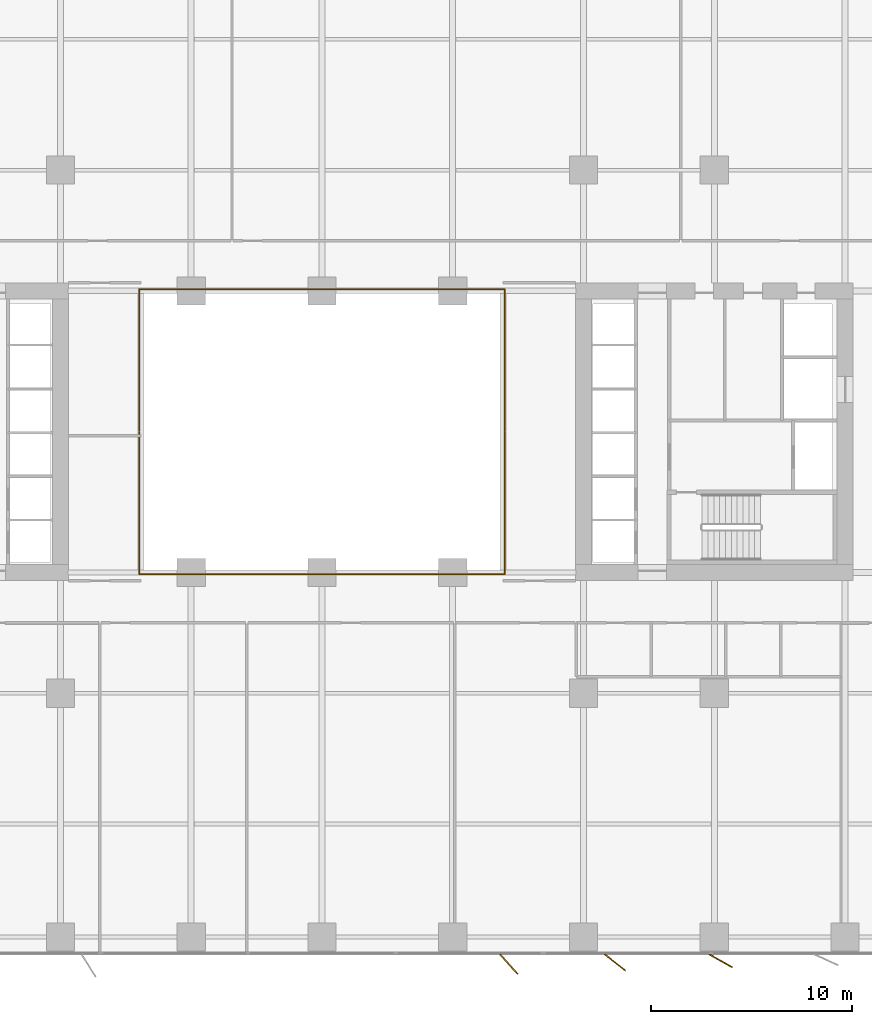
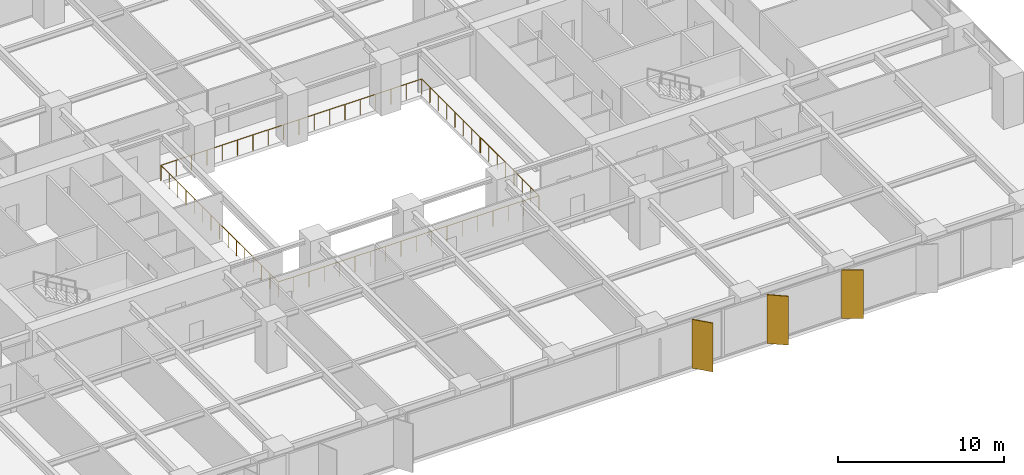
# One storey, part 18 of 20: 3 shading devices, 2 railings.
"""IFC4 building model written with IfcOpenShell, lengths in metres."""

from ifc_helpers import new_model, si_unit, direction, frame, origin, origin_2d, place, context, subcontext, project, spatial, rectangle, circle, extrude, material, layer, layer_set, type_object, element, save


model = new_model("IFC4")

# Units and contexts
model_context = context("Model", 3, precision=1e-05, world=origin(), true_north=direction((0.0, 1.0)))
body_context = subcontext(model_context, "Body", "Model", "MODEL_VIEW")
ifc_project = project(units=[si_unit("LENGTHUNIT", "METRE"), si_unit("AREAUNIT", "SQUARE_METRE"), si_unit("VOLUMEUNIT", "CUBIC_METRE"), si_unit("PLANEANGLEUNIT", "RADIAN"), si_unit("MASSUNIT", "GRAM", prefix="KILO")], contexts=[model_context])

# Site, building, storey
site_placement = place(None, origin())
site = spatial("IfcSite", under=ifc_project, at=site_placement, CompositionType="ELEMENT")
building_placement = place(site_placement, origin())
building = spatial("IfcBuilding", under=site, at=building_placement, Name="Putna Gate Headquarters", CompositionType="ELEMENT")
storey_placement = place(building_placement, frame((0.0, 0.0, 69.60009765625)))
storey = spatial("IfcBuildingStorey", under=building, at=storey_placement, Name="L16", CompositionType="ELEMENT", Elevation=69.60009765625)

# Railings
ifc_material_1 = material(Name="Anodised bronze and laminated glass atrium balustrade", Category="glass")
railing_type = type_object("IfcRailingType", Name="RAIL-ATRIUM-GUARD-1150", PredefinedType="GUARDRAIL", material=ifc_material_1)
railing_1_placement = place(storey_placement, frame((29.919921875, 25.969970703125, 0.0)))
element("IfcRailing", 1, at=railing_1_placement, inside=storey, type_object=railing_type, Name="L16 Central Atrium Glazed Balustrade South", PredefinedType="GUARDRAIL", context=body_context, shape_type="SweptSolid", body=[
    extrude(circle(Radius=0.02392578125, at=origin_2d()), frame((0.0, 0.0, 1.1259765625), z_axis=(0.0, -1.0, 0.0), x_axis=(1.0, 0.0, 0.0)), (0.0, 0.0, 1.0), 7.050048828125),
    extrude(circle(Radius=0.02392578125, at=origin_2d()), frame((0.0, -7.050048828125, 1.1259765625), z_axis=(1.0, 0.0, 0.0), x_axis=(0.0, 1.0, 0.0)), (0.0, 0.0, 1.0), 18.16015625),
    extrude(circle(Radius=0.02392578125, at=origin_2d()), frame((18.16015625, -7.050048828125, 1.1259765625), z_axis=(0.0, 1.0, 0.0), x_axis=(-1.0, 0.0, 0.0)), (0.0, 0.0, 1.0), 7.050048828125),
    extrude(circle(Radius=0.02099609375, at=origin_2d()), origin(), (0.0, 0.0, 1.0), 1.101806640625),
    extrude(circle(Radius=0.02099609375, at=origin_2d()), frame((0.0, -1.007080078125, 0.0)), (0.0, 0.0, 1.0), 1.101806640625),
    extrude(circle(Radius=0.02099609375, at=origin_2d()), frame((0.0, -2.014404296875, 0.0)), (0.0, 0.0, 1.0), 1.101806640625),
    extrude(circle(Radius=0.02099609375, at=origin_2d()), frame((0.0, -3.021484375, 0.0)), (0.0, 0.0, 1.0), 1.101806640625),
    extrude(circle(Radius=0.02099609375, at=origin_2d()), frame((0.0, -4.028564453125, 0.0)), (0.0, 0.0, 1.0), 1.101806640625),
    extrude(circle(Radius=0.02099609375, at=origin_2d()), frame((0.0, -5.03564453125, 0.0)), (0.0, 0.0, 1.0), 1.101806640625),
    extrude(circle(Radius=0.02099609375, at=origin_2d()), frame((0.0, -6.04296875, 0.0)), (0.0, 0.0, 1.0), 1.101806640625),
    extrude(circle(Radius=0.02099609375, at=origin_2d()), frame((0.0, -7.050048828125, 0.0)), (0.0, 0.0, 1.0), 1.101806640625),
    extrude(circle(Radius=0.02099609375, at=origin_2d()), frame((1.068359375, -7.050048828125, 0.0)), (0.0, 0.0, 1.0), 1.101806640625),
    extrude(circle(Radius=0.02099609375, at=origin_2d()), frame((2.136474609375, -7.050048828125, 0.0)), (0.0, 0.0, 1.0), 1.101806640625),
    extrude(circle(Radius=0.02099609375, at=origin_2d()), frame((3.204833984375, -7.050048828125, 0.0)), (0.0, 0.0, 1.0), 1.101806640625),
    extrude(circle(Radius=0.02099609375, at=origin_2d()), frame((4.27294921875, -7.050048828125, 0.0)), (0.0, 0.0, 1.0), 1.101806640625),
    extrude(circle(Radius=0.02099609375, at=origin_2d()), frame((5.34130859375, -7.050048828125, 0.0)), (0.0, 0.0, 1.0), 1.101806640625),
    extrude(circle(Radius=0.02099609375, at=origin_2d()), frame((6.409423828125, -7.050048828125, 0.0)), (0.0, 0.0, 1.0), 1.101806640625),
    extrude(circle(Radius=0.02099609375, at=origin_2d()), frame((7.477783203125, -7.050048828125, 0.0)), (0.0, 0.0, 1.0), 1.101806640625),
    extrude(circle(Radius=0.02099609375, at=origin_2d()), frame((8.5458984375, -7.050048828125, 0.0)), (0.0, 0.0, 1.0), 1.101806640625),
    extrude(circle(Radius=0.02099609375, at=origin_2d()), frame((9.6142578125, -7.050048828125, 0.0)), (0.0, 0.0, 1.0), 1.101806640625),
    extrude(circle(Radius=0.02099609375, at=origin_2d()), frame((10.682373046875, -7.050048828125, 0.0)), (0.0, 0.0, 1.0), 1.101806640625),
    extrude(circle(Radius=0.02099609375, at=origin_2d()), frame((11.750732421875, -7.050048828125, 0.0)), (0.0, 0.0, 1.0), 1.101806640625),
    extrude(circle(Radius=0.02099609375, at=origin_2d()), frame((12.81884765625, -7.050048828125, 0.0)), (0.0, 0.0, 1.0), 1.101806640625),
    extrude(circle(Radius=0.02099609375, at=origin_2d()), frame((13.88720703125, -7.050048828125, 0.0)), (0.0, 0.0, 1.0), 1.101806640625),
    extrude(circle(Radius=0.02099609375, at=origin_2d()), frame((14.955322265625, -7.050048828125, 0.0)), (0.0, 0.0, 1.0), 1.101806640625),
    extrude(circle(Radius=0.02099609375, at=origin_2d()), frame((16.023681640625, -7.050048828125, 0.0)), (0.0, 0.0, 1.0), 1.101806640625),
    extrude(circle(Radius=0.02099609375, at=origin_2d()), frame((17.091796875, -7.050048828125, 0.0)), (0.0, 0.0, 1.0), 1.101806640625),
    extrude(circle(Radius=0.02099609375, at=origin_2d()), frame((18.16015625, -7.050048828125, 0.0)), (0.0, 0.0, 1.0), 1.101806640625),
    extrude(circle(Radius=0.02099609375, at=origin_2d()), frame((18.16015625, -6.04296875, 0.0)), (0.0, 0.0, 1.0), 1.101806640625),
    extrude(circle(Radius=0.02099609375, at=origin_2d()), frame((18.16015625, -5.03564453125, 0.0)), (0.0, 0.0, 1.0), 1.101806640625),
    extrude(circle(Radius=0.02099609375, at=origin_2d()), frame((18.16015625, -4.028564453125, 0.0)), (0.0, 0.0, 1.0), 1.101806640625),
    extrude(circle(Radius=0.02099609375, at=origin_2d()), frame((18.16015625, -3.021484375, 0.0)), (0.0, 0.0, 1.0), 1.101806640625),
    extrude(circle(Radius=0.02099609375, at=origin_2d()), frame((18.16015625, -2.014404296875, 0.0)), (0.0, 0.0, 1.0), 1.101806640625),
    extrude(circle(Radius=0.02099609375, at=origin_2d()), frame((18.16015625, -1.007080078125, 0.0)), (0.0, 0.0, 1.0), 1.101806640625),
    extrude(circle(Radius=0.02099609375, at=origin_2d()), frame((18.16015625, 0.0, 0.0)), (0.0, 0.0, 1.0), 1.101806640625),
])
railing_2_placement = place(storey_placement, frame((48.080078125, 26.030029296875, 0.0)))
element("IfcRailing", 2, at=railing_2_placement, inside=storey, type_object=railing_type, Name="L16 Central Atrium Glazed Balustrade North", PredefinedType="GUARDRAIL", context=body_context, shape_type="SweptSolid", body=[
    extrude(circle(Radius=0.02392578125, at=origin_2d()), frame((0.0, 0.0, 1.1259765625), z_axis=(0.0, 1.0, 0.0), x_axis=(-1.0, 0.0, 0.0)), (0.0, 0.0, 1.0), 7.050048828125),
    extrude(circle(Radius=0.02392578125, at=origin_2d()), frame((0.0, 7.050048828125, 1.1259765625), z_axis=(-1.0, 0.0, 0.0), x_axis=(0.0, -1.0, 0.0)), (0.0, 0.0, 1.0), 18.16015625),
    extrude(circle(Radius=0.02392578125, at=origin_2d()), frame((-18.16015625, 7.050048828125, 1.1259765625), z_axis=(0.0, -1.0, 0.0), x_axis=(1.0, 0.0, 0.0)), (0.0, 0.0, 1.0), 7.050048828125),
    extrude(circle(Radius=0.02099609375, at=origin_2d()), origin(), (0.0, 0.0, 1.0), 1.101806640625),
    extrude(circle(Radius=0.02099609375, at=origin_2d()), frame((0.0, 1.007080078125, 0.0)), (0.0, 0.0, 1.0), 1.101806640625),
    extrude(circle(Radius=0.02099609375, at=origin_2d()), frame((0.0, 2.014404296875, 0.0)), (0.0, 0.0, 1.0), 1.101806640625),
    extrude(circle(Radius=0.02099609375, at=origin_2d()), frame((0.0, 3.021484375, 0.0)), (0.0, 0.0, 1.0), 1.101806640625),
    extrude(circle(Radius=0.02099609375, at=origin_2d()), frame((0.0, 4.028564453125, 0.0)), (0.0, 0.0, 1.0), 1.101806640625),
    extrude(circle(Radius=0.02099609375, at=origin_2d()), frame((0.0, 5.03564453125, 0.0)), (0.0, 0.0, 1.0), 1.101806640625),
    extrude(circle(Radius=0.02099609375, at=origin_2d()), frame((0.0, 6.04296875, 0.0)), (0.0, 0.0, 1.0), 1.101806640625),
    extrude(circle(Radius=0.02099609375, at=origin_2d()), frame((0.0, 7.050048828125, 0.0)), (0.0, 0.0, 1.0), 1.101806640625),
    extrude(circle(Radius=0.02099609375, at=origin_2d()), frame((-1.068359375, 7.050048828125, 0.0)), (0.0, 0.0, 1.0), 1.101806640625),
    extrude(circle(Radius=0.02099609375, at=origin_2d()), frame((-2.136474609375, 7.050048828125, 0.0)), (0.0, 0.0, 1.0), 1.101806640625),
    extrude(circle(Radius=0.02099609375, at=origin_2d()), frame((-3.204833984375, 7.050048828125, 0.0)), (0.0, 0.0, 1.0), 1.101806640625),
    extrude(circle(Radius=0.02099609375, at=origin_2d()), frame((-4.27294921875, 7.050048828125, 0.0)), (0.0, 0.0, 1.0), 1.101806640625),
    extrude(circle(Radius=0.02099609375, at=origin_2d()), frame((-5.34130859375, 7.050048828125, 0.0)), (0.0, 0.0, 1.0), 1.101806640625),
    extrude(circle(Radius=0.02099609375, at=origin_2d()), frame((-6.409423828125, 7.050048828125, 0.0)), (0.0, 0.0, 1.0), 1.101806640625),
    extrude(circle(Radius=0.02099609375, at=origin_2d()), frame((-7.477783203125, 7.050048828125, 0.0)), (0.0, 0.0, 1.0), 1.101806640625),
    extrude(circle(Radius=0.02099609375, at=origin_2d()), frame((-8.5458984375, 7.050048828125, 0.0)), (0.0, 0.0, 1.0), 1.101806640625),
    extrude(circle(Radius=0.02099609375, at=origin_2d()), frame((-9.6142578125, 7.050048828125, 0.0)), (0.0, 0.0, 1.0), 1.101806640625),
    extrude(circle(Radius=0.02099609375, at=origin_2d()), frame((-10.682373046875, 7.050048828125, 0.0)), (0.0, 0.0, 1.0), 1.101806640625),
    extrude(circle(Radius=0.02099609375, at=origin_2d()), frame((-11.750732421875, 7.050048828125, 0.0)), (0.0, 0.0, 1.0), 1.101806640625),
    extrude(circle(Radius=0.02099609375, at=origin_2d()), frame((-12.81884765625, 7.050048828125, 0.0)), (0.0, 0.0, 1.0), 1.101806640625),
    extrude(circle(Radius=0.02099609375, at=origin_2d()), frame((-13.88720703125, 7.050048828125, 0.0)), (0.0, 0.0, 1.0), 1.101806640625),
    extrude(circle(Radius=0.02099609375, at=origin_2d()), frame((-14.955322265625, 7.050048828125, 0.0)), (0.0, 0.0, 1.0), 1.101806640625),
    extrude(circle(Radius=0.02099609375, at=origin_2d()), frame((-16.023681640625, 7.050048828125, 0.0)), (0.0, 0.0, 1.0), 1.101806640625),
    extrude(circle(Radius=0.02099609375, at=origin_2d()), frame((-17.091796875, 7.050048828125, 0.0)), (0.0, 0.0, 1.0), 1.101806640625),
    extrude(circle(Radius=0.02099609375, at=origin_2d()), frame((-18.16015625, 7.050048828125, 0.0)), (0.0, 0.0, 1.0), 1.101806640625),
    extrude(circle(Radius=0.02099609375, at=origin_2d()), frame((-18.16015625, 6.04296875, 0.0)), (0.0, 0.0, 1.0), 1.101806640625),
    extrude(circle(Radius=0.02099609375, at=origin_2d()), frame((-18.16015625, 5.03564453125, 0.0)), (0.0, 0.0, 1.0), 1.101806640625),
    extrude(circle(Radius=0.02099609375, at=origin_2d()), frame((-18.16015625, 4.028564453125, 0.0)), (0.0, 0.0, 1.0), 1.101806640625),
    extrude(circle(Radius=0.02099609375, at=origin_2d()), frame((-18.16015625, 3.021484375, 0.0)), (0.0, 0.0, 1.0), 1.101806640625),
    extrude(circle(Radius=0.02099609375, at=origin_2d()), frame((-18.16015625, 2.014404296875, 0.0)), (0.0, 0.0, 1.0), 1.101806640625),
    extrude(circle(Radius=0.02099609375, at=origin_2d()), frame((-18.16015625, 1.007080078125, 0.0)), (0.0, 0.0, 1.0), 1.101806640625),
    extrude(circle(Radius=0.02099609375, at=origin_2d()), frame((-18.16015625, 0.0, 0.0)), (0.0, 0.0, 1.0), 1.101806640625),
])

# Shading devices
ifc_material_2 = material(Name="Anodised architectural bronze aluminium fin", Category="aluminium")
ifc_layer = layer(ifc_material_2, 0.06494140625)
ifc_layer_set = layer_set([ifc_layer], Name="Anodised architectural bronze aluminium fin")
shading_device_type = type_object("IfcShadingDeviceType", Name="SHADE-BRONZE-FIN-1320", PredefinedType="USERDEFINED", material=ifc_layer_set)
for number, where, z_axis, x_axis, name in (
    (3, (48.29150390625, -0.465576171875, -0.02001953125), (0.0, 0.0, 1.0), (0.669130606359, -0.743144825477, 0.0), "L16 Bronze Vertical Shading Fin S8"),
    (4, (53.569580078125, -0.3818359375, -0.02001953125), (0.0, 0.0, 1.0), (0.787473187632, -0.616348909921, 0.0), "L16 Bronze Vertical Shading Fin S9"),
    (5, (58.82373046875, -0.30126953125, -0.02001953125), (0.0, 0.0, 1.0), (0.869322458298, -0.494245347472, 0.0), "L16 Bronze Vertical Shading Fin S10"),
):
    element("IfcShadingDevice", number, at=place(storey_placement, frame(where, z_axis=z_axis, x_axis=x_axis)), inside=storey, type_object=shading_device_type, Name=name, ObjectType="FIN", PredefinedType="USERDEFINED", context=body_context, shape_type="SweptSolid", body=[
        extrude(rectangle(XDim=1.320068359375, YDim=0.06494140625, at=origin_2d()), origin(), (0.0, 0.0, 1.0), 3.590087890625),
    ])

save(model, "model.ifc")
